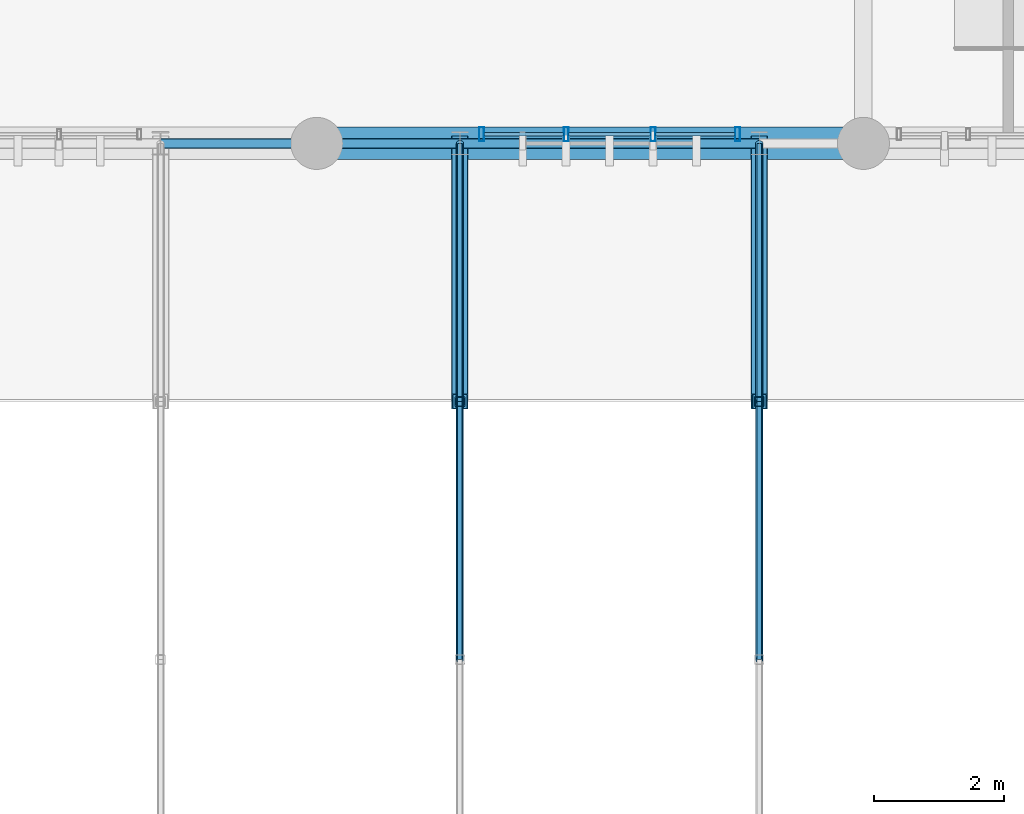
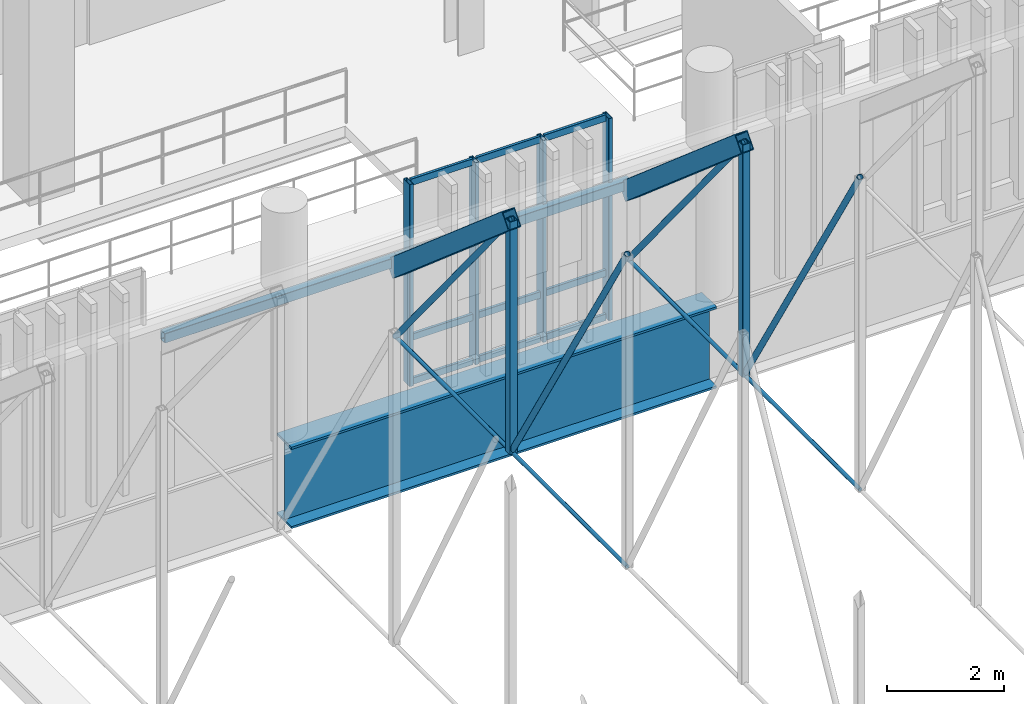
# One storey, part 15 of 109: 25 members, 3 beams, 1 element without a shape of its own.
"""IFC4 building model written with IfcOpenShell, lengths in metres."""

from ifc_helpers import new_model, si_unit, direction, frame, origin_with_axes, origin_2d_with_axis, place, context, subcontext, project, spatial, hollow_rectangle, circle, hollow_circle, i_section, extrude, material, material_profile, profile_set, type_object, element, aggregate, save


model = new_model("IFC4")

# Units and contexts
model_context = context("Model", 3, precision=1e-05, world=origin_with_axes(), true_north=direction((0.0, 1.0)))
body_context = subcontext(model_context, "Body", "Model", "MODEL_VIEW")
ifc_project = project(units=[si_unit("LENGTHUNIT", "METRE"), si_unit("AREAUNIT", "SQUARE_METRE"), si_unit("VOLUMEUNIT", "CUBIC_METRE"), si_unit("PLANEANGLEUNIT", "RADIAN"), si_unit("MASSUNIT", "GRAM", prefix="KILO"), si_unit("THERMODYNAMICTEMPERATUREUNIT", "KELVIN")], contexts=[model_context])

# Site, building, storey
site_placement = place(None, origin_with_axes())
site = spatial("IfcSite", under=ifc_project, at=site_placement, CompositionType="ELEMENT")
building_placement = place(site_placement, origin_with_axes())
building = spatial("IfcBuilding", under=site, at=building_placement, Name="Montbau Bow Law Courts", CompositionType="ELEMENT")
storey_placement = place(building_placement, frame((0.0, 0.0, 10.8), z_axis=(0.0, 0.0, 1.0), x_axis=(1.0, 0.0, 0.0)))
storey = spatial("IfcBuildingStorey", under=building, at=storey_placement, Name="L02", CompositionType="ELEMENT", Elevation=10.8)

# Beams
ifc_material_1 = material(Name="Steel CSA G40.21 Grade 350WT (350 MPa)", Category="steel")
ifc_material_profile_1 = material_profile(ifc_material_1, hollow_rectangle(XDim=0.254, YDim=0.356, WallThickness=0.0127, InnerFilletRadius=0.0254, OuterFilletRadius=0.0127, at=origin_2d_with_axis()), Name="HSS356X254X13", Category="Main", Priority=0)
ifc_profile_set_1 = profile_set([ifc_material_profile_1], Name="Steel CSA G40.21 Grade 350WT (350 MPa)")
beam_type_1 = type_object("IfcBeamType", Name="B-ARC-01", PredefinedType="USERDEFINED", material=ifc_profile_set_1)
for number, where, z_axis, x_axis, name in (
    (1, (16.0, 26.633, 16.836), (0.0, 0.758621798, -0.651531249), (-1.0, 0.0, 0.0), "Barrel vault roof truss arch rib V1-018"),
    (2, (20.6, 26.633, 16.836), (0.0, 0.758621798, -0.651531249), (-1.0, 0.0, 0.0), "Barrel vault roof truss arch rib V1-024"),
):
    element("IfcBeam", number, at=place(None, frame(where, z_axis=z_axis, x_axis=x_axis)), inside=storey, type_object=beam_type_1, Name=name, ObjectType="ARCH_RIB", PredefinedType="USERDEFINED", context=body_context, shape_type="SweptSolid", body=[
        extrude(hollow_rectangle(XDim=0.254, YDim=0.356, WallThickness=0.0127, InnerFilletRadius=0.0254, OuterFilletRadius=0.0127, at=origin_2d_with_axis()), origin_with_axes(), (0.0, 0.0, 1.0), 5.22922),
    ])
ifc_material_profile_2 = material_profile(ifc_material_1, i_section(OverallWidth=0.5, OverallDepth=1.7, WebThickness=0.02, FlangeThickness=0.045, at=origin_2d_with_axis()), Name="WWF1700X480", Category="Main", Priority=0)
ifc_profile_set_2 = profile_set([ifc_material_profile_2], Name="Steel CSA G40.21 Grade 350WT (350 MPa)")
beam_type_2 = type_object("IfcBeamType", Name="B-TRG-02", PredefinedType="USERDEFINED", material=ifc_profile_set_2)
beam_placement = place(None, frame((13.8, 30.6, 9.73), z_axis=(1.0, 0.0, 0.0), x_axis=(0.0, 1.0, 0.0)))
element("IfcBeam", 3, at=beam_placement, inside=storey, type_object=beam_type_2, Name="VRG-L02-S0006:bm2_0009", ObjectType="GIRDER", PredefinedType="USERDEFINED", context=body_context, shape_type="SweptSolid", body=[
    extrude(i_section(OverallWidth=0.5, OverallDepth=1.7, WebThickness=0.02, FlangeThickness=0.045, at=origin_2d_with_axis()), origin_with_axes(), (0.0, 0.0, 1.0), 8.4),
])

# Curtain wall, members
ifc_material_2 = material(Name="Thermally Broken Extruded Aluminium AA 6063-T6", Category="aluminium")
curtain_wall_type = type_object("IfcCurtainWallType", Name="CW-TRC-01", PredefinedType="NOTDEFINED", material=ifc_material_2)
curtain_wall_placement = place(None, frame((16.296, 30.74, 10.8), z_axis=(0.0, 0.0, 1.0), x_axis=(1.0, 0.0, 0.0)))
curtain_wall = element("IfcCurtainWall", 4, at=curtain_wall_placement, inside=storey, type_object=curtain_wall_type, Name="CW-L02-033:cw_0033", PredefinedType="NOTDEFINED")
ifc_material_profile_3 = material_profile(ifc_material_2, hollow_rectangle(XDim=0.075, YDim=0.22, WallThickness=0.005, InnerFilletRadius=0.01, OuterFilletRadius=0.005, at=origin_2d_with_axis()), Name="CWM-220X75", Category="Main", Priority=0)
ifc_profile_set_3 = profile_set([ifc_material_profile_3], Name="Thermally Broken Extruded Aluminium AA 6063-T6")
member_type_1 = type_object("IfcMemberType", Name="M-MUL-01", PredefinedType="MULLION", material=ifc_profile_set_3)
member_1_placement = place(None, frame((16.333, 30.74, 10.8), z_axis=(0.0, 0.0, 1.0), x_axis=(1.0, 0.0, 0.0)))
member_1 = element("IfcMember", 5, at=member_1_placement, type_object=member_type_1, Name="CW-L02-033-M01:cw_0033_M01", PredefinedType="MULLION", context=body_context, shape_type="SweptSolid", body=[
    extrude(hollow_rectangle(XDim=0.075, YDim=0.22, WallThickness=0.005, InnerFilletRadius=0.01, OuterFilletRadius=0.005, at=origin_2d_with_axis()), origin_with_axes(), (0.0, 0.0, 1.0), 4.22),
])
member_2_placement = place(None, frame((17.632, 30.74, 10.8), z_axis=(0.0, 0.0, 1.0), x_axis=(1.0, 0.0, 0.0)))
member_2 = element("IfcMember", 6, at=member_2_placement, type_object=member_type_1, Name="CW-L02-033-M02:cw_0033_M02", PredefinedType="MULLION", context=body_context, shape_type="SweptSolid", body=[
    extrude(hollow_rectangle(XDim=0.075, YDim=0.22, WallThickness=0.005, InnerFilletRadius=0.01, OuterFilletRadius=0.005, at=origin_2d_with_axis()), origin_with_axes(), (0.0, 0.0, 1.0), 4.22),
])
member_3_placement = place(None, frame((18.968, 30.74, 10.8), z_axis=(0.0, 0.0, 1.0), x_axis=(1.0, 0.0, 0.0)))
member_3 = element("IfcMember", 7, at=member_3_placement, type_object=member_type_1, Name="CW-L02-033-M03:cw_0033_M03", PredefinedType="MULLION", context=body_context, shape_type="SweptSolid", body=[
    extrude(hollow_rectangle(XDim=0.075, YDim=0.22, WallThickness=0.005, InnerFilletRadius=0.01, OuterFilletRadius=0.005, at=origin_2d_with_axis()), origin_with_axes(), (0.0, 0.0, 1.0), 4.22),
])
member_4_placement = place(None, frame((20.266, 30.74, 10.8), z_axis=(0.0, 0.0, 1.0), x_axis=(1.0, 0.0, 0.0)))
member_4 = element("IfcMember", 8, at=member_4_placement, type_object=member_type_1, Name="CW-L02-033-M04:cw_0033_M04", PredefinedType="MULLION", context=body_context, shape_type="SweptSolid", body=[
    extrude(hollow_rectangle(XDim=0.075, YDim=0.22, WallThickness=0.005, InnerFilletRadius=0.01, OuterFilletRadius=0.005, at=origin_2d_with_axis()), origin_with_axes(), (0.0, 0.0, 1.0), 4.22),
])

# Members
ifc_material_profile_4 = material_profile(ifc_material_1, hollow_rectangle(XDim=0.152, YDim=0.203, WallThickness=0.0095, InnerFilletRadius=0.019, OuterFilletRadius=0.0095, at=origin_2d_with_axis()), Name="HSS203X152X9.5", Category="Main", Priority=0)
ifc_profile_set_4 = profile_set([ifc_material_profile_4], Name="Steel CSA G40.21 Grade 350WT (350 MPa)")
member_type_2 = type_object("IfcMemberType", Name="M-PUR-01", PredefinedType="PURLIN", material=ifc_profile_set_4)
for number, where, z_axis, x_axis, name in (
    (9, (11.4, 30.6, 13.587), (1.0, 0.0, 0.0), (0.0, 1.0, 0.0), "Barrel vault roof truss purlin V1-014"),
    (10, (16.0, 30.6, 13.587), (1.0, 0.0, 0.0), (0.0, 1.0, 0.0), "Barrel vault roof truss purlin V1-021"),
):
    element("IfcMember", number, at=place(None, frame(where, z_axis=z_axis, x_axis=x_axis)), inside=storey, type_object=member_type_2, Name=name, PredefinedType="PURLIN", context=body_context, shape_type="SweptSolid", body=[
        extrude(hollow_rectangle(XDim=0.152, YDim=0.203, WallThickness=0.0095, InnerFilletRadius=0.019, OuterFilletRadius=0.0095, at=origin_2d_with_axis()), origin_with_axes(), (0.0, 0.0, 1.0), 4.6),
    ])
ifc_material_profile_5 = material_profile(ifc_material_1, hollow_rectangle(XDim=0.152, YDim=0.152, WallThickness=0.0095, InnerFilletRadius=0.019, OuterFilletRadius=0.0095, at=origin_2d_with_axis()), Name="HSS152X152X9.5", Category="Main", Priority=0)
ifc_profile_set_5 = profile_set([ifc_material_profile_5], Name="Steel CSA G40.21 Grade 350WT (350 MPa)")
member_type_3 = type_object("IfcMemberType", Name="M-STR-02", PredefinedType="STRUT", material=ifc_profile_set_5)
for number, where, z_axis, x_axis, name in (
    (11, (16.0, 26.633, 11.979), (0.0, 0.0, 1.0), (1.0, 0.0, 0.0), "Barrel vault roof truss web post V1-03-5"),
    (12, (20.6, 26.633, 11.979), (0.0, 0.0, 1.0), (1.0, 0.0, 0.0), "Barrel vault roof truss web post V1-04-5"),
):
    element("IfcMember", number, at=place(None, frame(where, z_axis=z_axis, x_axis=x_axis)), inside=storey, type_object=member_type_3, Name=name, PredefinedType="STRUT", context=body_context, shape_type="SweptSolid", body=[
        extrude(hollow_rectangle(XDim=0.152, YDim=0.152, WallThickness=0.0095, InnerFilletRadius=0.019, OuterFilletRadius=0.0095, at=origin_2d_with_axis()), origin_with_axes(), (0.0, 0.0, 1.0), 4.857),
    ])
ifc_material_profile_6 = material_profile(ifc_material_1, hollow_circle(Radius=0.057, WallThickness=0.008, at=origin_2d_with_axis()), Name="HSS114X8.0", Category="Main", Priority=0)
ifc_profile_set_6 = profile_set([ifc_material_profile_6], Name="Steel CSA G40.21 Grade 350WT (350 MPa)")
member_type_4 = type_object("IfcMemberType", Name="M-STR-03", PredefinedType="STRUT", material=ifc_profile_set_6)
member_5_placement = place(None, frame((16.0, 22.667, 18.511), z_axis=(0.0, 0.518991793, -0.854779222), x_axis=(-1.0, 0.0, 0.0)))
element("IfcMember", 13, at=member_5_placement, inside=storey, type_object=member_type_4, Name="Barrel vault roof truss web diagonal V1-03-5", PredefinedType="STRUT", context=body_context, shape_type="SweptSolid", body=[
    extrude(hollow_circle(Radius=0.057, WallThickness=0.008, at=origin_2d_with_axis()), origin_with_axes(), (0.0, 0.0, 1.0), 7.641739),
])
member_6_placement = place(None, frame((16.0, 26.633, 16.836), z_axis=(0.0, 0.632577617, -0.774496971), x_axis=(-1.0, 0.0, 0.0)))
element("IfcMember", 14, at=member_6_placement, inside=storey, type_object=member_type_4, Name="Barrel vault roof truss web diagonal V1-03-6", PredefinedType="STRUT", context=body_context, shape_type="SweptSolid", body=[
    extrude(hollow_circle(Radius=0.057, WallThickness=0.008, at=origin_2d_with_axis()), origin_with_axes(), (0.0, 0.0, 1.0), 6.271167),
])
member_7_placement = place(None, frame((20.6, 22.667, 18.511), z_axis=(0.0, 0.518991793, -0.854779222), x_axis=(-1.0, 0.0, 0.0)))
element("IfcMember", 15, at=member_7_placement, inside=storey, type_object=member_type_4, Name="Barrel vault roof truss web diagonal V1-04-5", PredefinedType="STRUT", context=body_context, shape_type="SweptSolid", body=[
    extrude(hollow_circle(Radius=0.057, WallThickness=0.008, at=origin_2d_with_axis()), origin_with_axes(), (0.0, 0.0, 1.0), 7.641739),
])
member_8_placement = place(None, frame((20.6, 26.633, 16.836), z_axis=(0.0, 0.632577617, -0.774496971), x_axis=(-1.0, 0.0, 0.0)))
element("IfcMember", 16, at=member_8_placement, inside=storey, type_object=member_type_4, Name="Barrel vault roof truss web diagonal V1-04-6", PredefinedType="STRUT", context=body_context, shape_type="SweptSolid", body=[
    extrude(hollow_circle(Radius=0.057, WallThickness=0.008, at=origin_2d_with_axis()), origin_with_axes(), (0.0, 0.0, 1.0), 6.271167),
])
ifc_material_profile_7 = material_profile(ifc_material_1, circle(Radius=0.038, at=origin_2d_with_axis()), Name="ROD76", Category="Main", Priority=0)
ifc_profile_set_7 = profile_set([ifc_material_profile_7], Name="Steel CSA G40.21 Grade 350WT (350 MPa)")
member_type_5 = type_object("IfcMemberType", Name="M-TIE-01", PredefinedType="USERDEFINED", material=ifc_profile_set_7)
member_9_placement = place(None, frame((16.0, 22.667, 11.979), z_axis=(0.0, 1.0, 0.0), x_axis=(-1.0, 0.0, 0.0)))
element("IfcMember", 17, at=member_9_placement, inside=storey, type_object=member_type_5, Name="Barrel vault roof truss tie V1-017", ObjectType="TIEBAR", PredefinedType="USERDEFINED", context=body_context, shape_type="SweptSolid", body=[
    extrude(circle(Radius=0.038, at=origin_2d_with_axis()), origin_with_axes(), (0.0, 0.0, 1.0), 3.966),
])
member_10_placement = place(None, frame((16.0, 26.633, 11.979), z_axis=(0.0, 1.0, 0.0), x_axis=(-1.0, 0.0, 0.0)))
element("IfcMember", 18, at=member_10_placement, inside=storey, type_object=member_type_5, Name="Barrel vault roof truss tie V1-018", ObjectType="TIEBAR", PredefinedType="USERDEFINED", context=body_context, shape_type="SweptSolid", body=[
    extrude(circle(Radius=0.038, at=origin_2d_with_axis()), origin_with_axes(), (0.0, 0.0, 1.0), 3.967),
])
member_11_placement = place(None, frame((20.6, 22.667, 11.979), z_axis=(0.0, 1.0, 0.0), x_axis=(-1.0, 0.0, 0.0)))
element("IfcMember", 19, at=member_11_placement, inside=storey, type_object=member_type_5, Name="Barrel vault roof truss tie V1-023", ObjectType="TIEBAR", PredefinedType="USERDEFINED", context=body_context, shape_type="SweptSolid", body=[
    extrude(circle(Radius=0.038, at=origin_2d_with_axis()), origin_with_axes(), (0.0, 0.0, 1.0), 3.966),
])
member_12_placement = place(None, frame((20.6, 26.633, 11.979), z_axis=(0.0, 1.0, 0.0), x_axis=(-1.0, 0.0, 0.0)))
element("IfcMember", 20, at=member_12_placement, inside=storey, type_object=member_type_5, Name="Barrel vault roof truss tie V1-024", ObjectType="TIEBAR", PredefinedType="USERDEFINED", context=body_context, shape_type="SweptSolid", body=[
    extrude(circle(Radius=0.038, at=origin_2d_with_axis()), origin_with_axes(), (0.0, 0.0, 1.0), 3.967),
])

# Member
ifc_material_profile_8 = material_profile(ifc_material_2, hollow_rectangle(XDim=0.055, YDim=0.14, WallThickness=0.004, InnerFilletRadius=0.008, OuterFilletRadius=0.004, at=origin_2d_with_axis()), Name="CWT-140X55", Category="Main", Priority=0)
ifc_profile_set_8 = profile_set([ifc_material_profile_8], Name="Thermally Broken Extruded Aluminium AA 6063-T6")
member_type_6 = type_object("IfcMemberType", Name="M-TRN-02", PredefinedType="USERDEFINED", material=ifc_profile_set_8)
member_13_placement = place(None, frame((16.372, 30.74, 10.828), z_axis=(1.0, 0.0, 0.0), x_axis=(0.0, 1.0, 0.0)))
member_13 = element("IfcMember", 21, at=member_13_placement, type_object=member_type_6, Name="CW-L02-033-T01-1:cw_0033_T01_1", ObjectType="TRANSOM", PredefinedType="USERDEFINED", context=body_context, shape_type="SweptSolid", body=[
    extrude(hollow_rectangle(XDim=0.055, YDim=0.14, WallThickness=0.004, InnerFilletRadius=0.008, OuterFilletRadius=0.004, at=origin_2d_with_axis()), origin_with_axes(), (0.0, 0.0, 1.0), 1.22),
])

member_14_placement = place(None, frame((16.372, 30.74, 11.75), z_axis=(1.0, 0.0, 0.0), x_axis=(0.0, 1.0, 0.0)))
member_14 = element("IfcMember", 22, at=member_14_placement, type_object=member_type_6, Name="CW-L02-033-T01-2:cw_0033_T01_2", ObjectType="TRANSOM", PredefinedType="USERDEFINED", context=body_context, shape_type="SweptSolid", body=[
    extrude(hollow_rectangle(XDim=0.055, YDim=0.14, WallThickness=0.004, InnerFilletRadius=0.008, OuterFilletRadius=0.004, at=origin_2d_with_axis()), origin_with_axes(), (0.0, 0.0, 1.0), 1.22),
])

member_15_placement = place(None, frame((16.372, 30.74, 14.992), z_axis=(1.0, 0.0, 0.0), x_axis=(0.0, 1.0, 0.0)))
member_15 = element("IfcMember", 23, at=member_15_placement, type_object=member_type_6, Name="CW-L02-033-T01-3:cw_0033_T01_3", ObjectType="TRANSOM", PredefinedType="USERDEFINED", context=body_context, shape_type="SweptSolid", body=[
    extrude(hollow_rectangle(XDim=0.055, YDim=0.14, WallThickness=0.004, InnerFilletRadius=0.008, OuterFilletRadius=0.004, at=origin_2d_with_axis()), origin_with_axes(), (0.0, 0.0, 1.0), 1.22),
])

member_16_placement = place(None, frame((17.672, 30.74, 10.828), z_axis=(1.0, 0.0, 0.0), x_axis=(0.0, 1.0, 0.0)))
member_16 = element("IfcMember", 24, at=member_16_placement, type_object=member_type_6, Name="CW-L02-033-T02-1:cw_0033_T02_1", ObjectType="TRANSOM", PredefinedType="USERDEFINED", context=body_context, shape_type="SweptSolid", body=[
    extrude(hollow_rectangle(XDim=0.055, YDim=0.14, WallThickness=0.004, InnerFilletRadius=0.008, OuterFilletRadius=0.004, at=origin_2d_with_axis()), origin_with_axes(), (0.0, 0.0, 1.0), 1.257),
])

member_17_placement = place(None, frame((17.672, 30.74, 11.75), z_axis=(1.0, 0.0, 0.0), x_axis=(0.0, 1.0, 0.0)))
member_17 = element("IfcMember", 25, at=member_17_placement, type_object=member_type_6, Name="CW-L02-033-T02-2:cw_0033_T02_2", ObjectType="TRANSOM", PredefinedType="USERDEFINED", context=body_context, shape_type="SweptSolid", body=[
    extrude(hollow_rectangle(XDim=0.055, YDim=0.14, WallThickness=0.004, InnerFilletRadius=0.008, OuterFilletRadius=0.004, at=origin_2d_with_axis()), origin_with_axes(), (0.0, 0.0, 1.0), 1.257),
])

member_18_placement = place(None, frame((17.672, 30.74, 14.992), z_axis=(1.0, 0.0, 0.0), x_axis=(0.0, 1.0, 0.0)))
member_18 = element("IfcMember", 26, at=member_18_placement, type_object=member_type_6, Name="CW-L02-033-T02-3:cw_0033_T02_3", ObjectType="TRANSOM", PredefinedType="USERDEFINED", context=body_context, shape_type="SweptSolid", body=[
    extrude(hollow_rectangle(XDim=0.055, YDim=0.14, WallThickness=0.004, InnerFilletRadius=0.008, OuterFilletRadius=0.004, at=origin_2d_with_axis()), origin_with_axes(), (0.0, 0.0, 1.0), 1.257),
])

member_19_placement = place(None, frame((19.008, 30.74, 10.828), z_axis=(1.0, 0.0, 0.0), x_axis=(0.0, 1.0, 0.0)))
member_19 = element("IfcMember", 27, at=member_19_placement, type_object=member_type_6, Name="CW-L02-033-T03-1:cw_0033_T03_1", ObjectType="TRANSOM", PredefinedType="USERDEFINED", context=body_context, shape_type="SweptSolid", body=[
    extrude(hollow_rectangle(XDim=0.055, YDim=0.14, WallThickness=0.004, InnerFilletRadius=0.008, OuterFilletRadius=0.004, at=origin_2d_with_axis()), origin_with_axes(), (0.0, 0.0, 1.0), 1.219),
])

member_20_placement = place(None, frame((19.008, 30.74, 11.75), z_axis=(1.0, 0.0, 0.0), x_axis=(0.0, 1.0, 0.0)))
member_20 = element("IfcMember", 28, at=member_20_placement, type_object=member_type_6, Name="CW-L02-033-T03-2:cw_0033_T03_2", ObjectType="TRANSOM", PredefinedType="USERDEFINED", context=body_context, shape_type="SweptSolid", body=[
    extrude(hollow_rectangle(XDim=0.055, YDim=0.14, WallThickness=0.004, InnerFilletRadius=0.008, OuterFilletRadius=0.004, at=origin_2d_with_axis()), origin_with_axes(), (0.0, 0.0, 1.0), 1.219),
])

member_21_placement = place(None, frame((19.008, 30.74, 14.992), z_axis=(1.0, 0.0, 0.0), x_axis=(0.0, 1.0, 0.0)))
member_21 = element("IfcMember", 29, at=member_21_placement, type_object=member_type_6, Name="CW-L02-033-T03-3:cw_0033_T03_3", ObjectType="TRANSOM", PredefinedType="USERDEFINED", context=body_context, shape_type="SweptSolid", body=[
    extrude(hollow_rectangle(XDim=0.055, YDim=0.14, WallThickness=0.004, InnerFilletRadius=0.008, OuterFilletRadius=0.004, at=origin_2d_with_axis()), origin_with_axes(), (0.0, 0.0, 1.0), 1.219),
])

aggregate(curtain_wall, [member_1, member_2, member_3, member_4, member_13, member_14, member_15, member_16, member_17, member_18, member_19, member_20, member_21])

save(model, "model.ifc")
